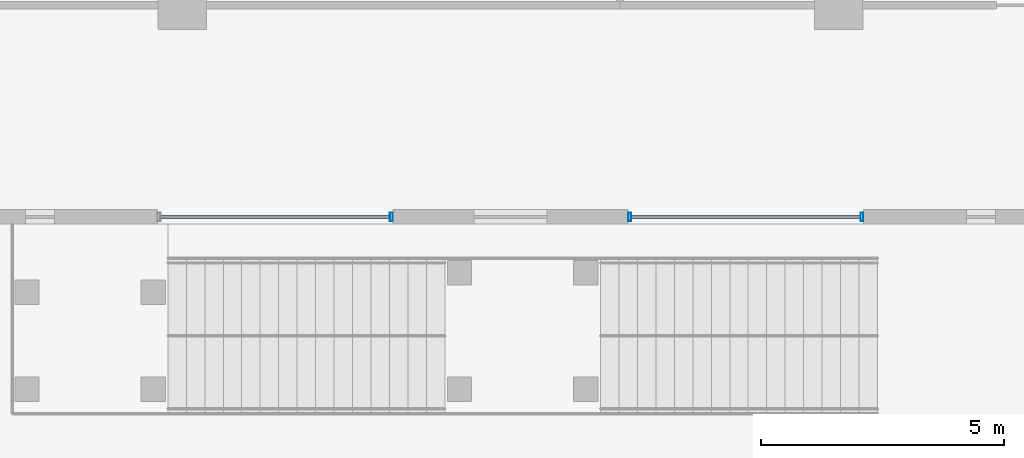
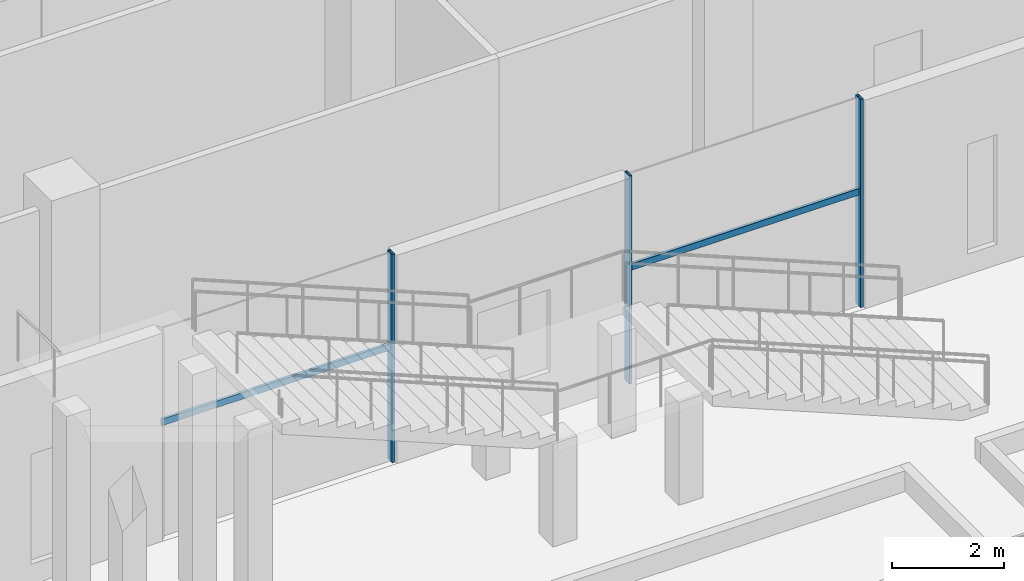
# One storey, part 12 of 49: 5 members, 2 elements without a shape of their own.
"""IFC4 building model written with IfcOpenShell, lengths in metres."""

from ifc_helpers import new_model, si_unit, direction, frame, origin, origin_2d, place, context, subcontext, project, spatial, hollow_rectangle, extrude, material, material_profile, profile_set, type_object, element, aggregate, save


model = new_model("IFC4")

# Units and contexts
model_context = context("Model", 3, precision=1e-05, world=origin(), true_north=direction((0.0, 1.0)))
body_context = subcontext(model_context, "Body", "Model", "MODEL_VIEW")
ifc_project = project(units=[si_unit("LENGTHUNIT", "METRE"), si_unit("AREAUNIT", "SQUARE_METRE"), si_unit("VOLUMEUNIT", "CUBIC_METRE"), si_unit("PLANEANGLEUNIT", "RADIAN"), si_unit("MASSUNIT", "GRAM", prefix="KILO")], contexts=[model_context])

# Site, building, storey
site_placement = place(None, origin())
site = spatial("IfcSite", under=ifc_project, at=site_placement, CompositionType="ELEMENT")
building_placement = place(site_placement, origin())
building = spatial("IfcBuilding", under=site, at=building_placement, Name="Altepetl Exchange Towers", CompositionType="ELEMENT")
storey_placement = place(building_placement, frame((0.0, 0.0, 11.5)))
storey = spatial("IfcBuildingStorey", under=building, at=storey_placement, Name="L02 Exchange podium", CompositionType="ELEMENT", Elevation=11.5)

# Curtain wall, member
ifc_material_1 = material(Name="Aluminium 6063-T6 glazing", Category="aluminium")
curtain_wall_type = type_object("IfcCurtainWallType", Name="Podium storefront system", PredefinedType="NOTDEFINED", material=ifc_material_1)
curtain_wall_1_placement = place(storey_placement, origin())
curtain_wall_1 = element("IfcCurtainWall", 1, at=curtain_wall_1_placement, inside=storey, type_object=curtain_wall_type, Name="CW5 run", PredefinedType="NOTDEFINED")
ifc_material_2 = material(Name="Aluminium 6063-T6", Category="aluminium")
ifc_material_profile_1 = material_profile(ifc_material_2, hollow_rectangle(XDim=0.06005859375, YDim=0.175048828125, WallThickness=0.0029296875, at=origin_2d()), Name="Mullion 60x175 aluminium")
ifc_profile_set_1 = profile_set([ifc_material_profile_1], Name="Aluminium 6063-T6")
member_type_1 = type_object("IfcMemberType", Name="Mullion 60x175 aluminium", PredefinedType="MULLION", material=ifc_profile_set_1)
member_1_placement = place(storey_placement, frame((107.800048828125, 18.14990234375, 0.0)))
member_1 = element("IfcMember", 2, at=member_1_placement, type_object=member_type_1, Name="MU4 mullion", PredefinedType="MULLION", context=body_context, shape_type="SweptSolid", body=[
    extrude(hollow_rectangle(XDim=0.06005859375, YDim=0.175048828125, WallThickness=0.0029296875, at=origin_2d()), origin(), (0.0, 0.0, 1.0), 4.550048828125),
])

# Curtain wall, members
curtain_wall_2_placement = place(storey_placement, origin())
curtain_wall_2 = element("IfcCurtainWall", 3, at=curtain_wall_2_placement, inside=storey, type_object=curtain_wall_type, Name="CW5 run", PredefinedType="NOTDEFINED")
member_2_placement = place(storey_placement, frame((112.699951171875, 18.14990234375, 0.0)))
member_2 = element("IfcMember", 4, at=member_2_placement, type_object=member_type_1, Name="MU4 mullion", PredefinedType="MULLION", context=body_context, shape_type="SweptSolid", body=[
    extrude(hollow_rectangle(XDim=0.06005859375, YDim=0.175048828125, WallThickness=0.0029296875, at=origin_2d()), origin(), (0.0, 0.0, 1.0), 4.550048828125),
])
member_3_placement = place(storey_placement, frame((117.47998046875, 18.14990234375, 0.0)))
member_3 = element("IfcMember", 5, at=member_3_placement, type_object=member_type_1, Name="MU4 mullion", PredefinedType="MULLION", context=body_context, shape_type="SweptSolid", body=[
    extrude(hollow_rectangle(XDim=0.06005859375, YDim=0.175048828125, WallThickness=0.0029296875, at=origin_2d()), origin(), (0.0, 0.0, 1.0), 4.550048828125),
])

# Member
ifc_material_profile_2 = material_profile(ifc_material_2, hollow_rectangle(XDim=0.06005859375, YDim=0.139892578125, WallThickness=0.0029296875, at=origin_2d()), Name="Transom 60x140 aluminium")
ifc_profile_set_2 = profile_set([ifc_material_profile_2], Name="Aluminium 6063-T6")
member_type_2 = type_object("IfcMemberType", Name="Transom 60x140 aluminium", PredefinedType="USERDEFINED", material=ifc_profile_set_2)
member_4_placement = place(storey_placement, frame((103.050048828125, 18.14990234375, 2.5), z_axis=(1.0, 0.0, 0.0), x_axis=(0.0, 1.0, 0.0)))
member_4 = element("IfcMember", 6, at=member_4_placement, type_object=member_type_2, Name="TR3 transom", ObjectType="TRANSOM", PredefinedType="USERDEFINED", context=body_context, shape_type="SweptSolid", body=[
    extrude(hollow_rectangle(XDim=0.06005859375, YDim=0.139892578125, WallThickness=0.0029296875, at=origin_2d()), origin(), (0.0, 0.0, 1.0), 4.719970703125),
])

aggregate(curtain_wall_1, [member_1, member_4])

member_5_placement = place(storey_placement, frame((112.72998046875, 18.14990234375, 2.5), z_axis=(1.0, 0.0, 0.0), x_axis=(0.0, 1.0, 0.0)))
member_5 = element("IfcMember", 7, at=member_5_placement, type_object=member_type_2, Name="TR3 transom", ObjectType="TRANSOM", PredefinedType="USERDEFINED", context=body_context, shape_type="SweptSolid", body=[
    extrude(hollow_rectangle(XDim=0.06005859375, YDim=0.139892578125, WallThickness=0.0029296875, at=origin_2d()), origin(), (0.0, 0.0, 1.0), 4.719970703125),
])

aggregate(curtain_wall_2, [member_2, member_3, member_5])

save(model, "model.ifc")
